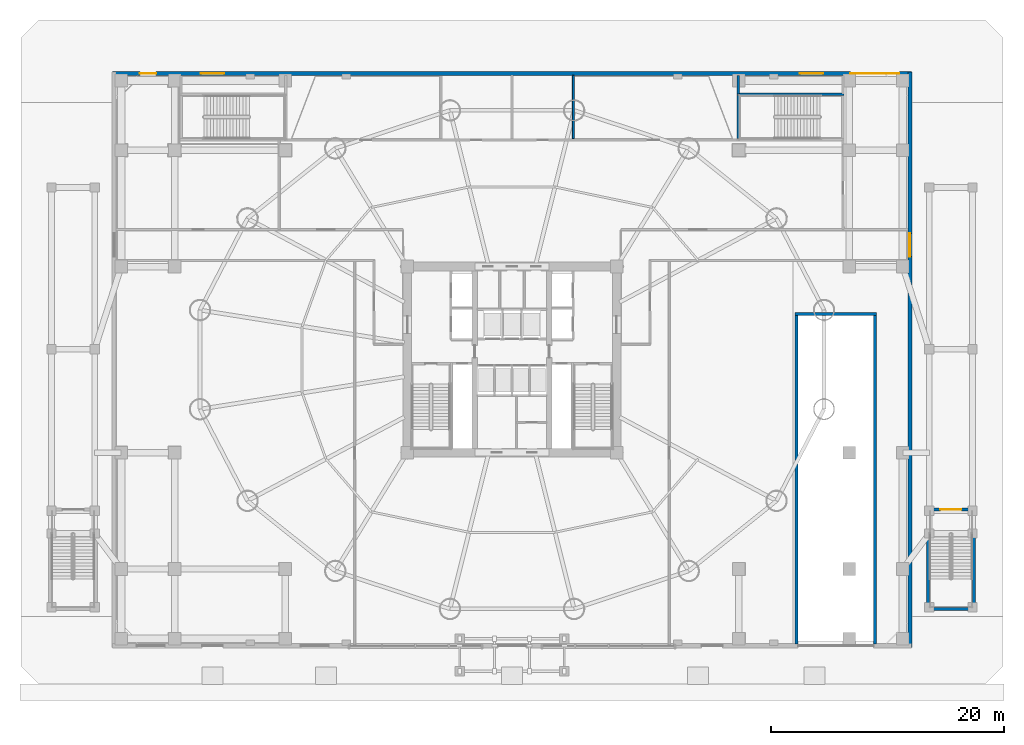
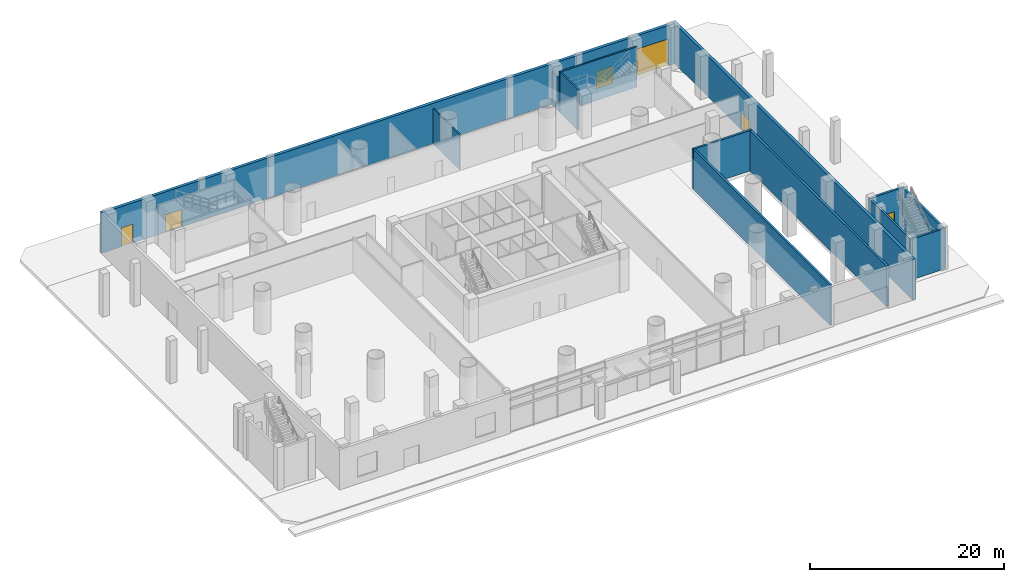
# One storey, part 12 of 25: 13 walls, 6 doors, 6 openings.
"""IFC4 building model written with IfcOpenShell, lengths in metres."""

from ifc_helpers import new_model, si_unit, direction, frame, frame_2d, origin, place, context, subcontext, project, spatial, rectangle, extrude, source, transform, mapped, material, layer, layer_set, type_object, element, fill, save


model = new_model("IFC4")

# Units and contexts
model_context = context("Model", 3, precision=1e-05, world=origin(), true_north=direction((-0.2419218956, 0.970295726276)))
body_context = subcontext(model_context, "Body", "Model", "MODEL_VIEW")
ifc_project = project(units=[si_unit("LENGTHUNIT", "METRE"), si_unit("AREAUNIT", "SQUARE_METRE"), si_unit("VOLUMEUNIT", "CUBIC_METRE"), si_unit("PLANEANGLEUNIT", "RADIAN"), si_unit("MASSUNIT", "GRAM", prefix="KILO")], contexts=[model_context])

# Site, building, storey
site_placement = place(None, origin())
site = spatial("IfcSite", under=ifc_project, at=site_placement, CompositionType="ELEMENT")
building_placement = place(site_placement, origin())
building = spatial("IfcBuilding", under=site, at=building_placement, Name="Cobrevalo Terracotta Tower", CompositionType="ELEMENT")
storey_placement = place(building_placement, origin())
storey = spatial("IfcBuildingStorey", under=building, at=storey_placement, Name="L00", CompositionType="ELEMENT", Elevation=0.0)

# Wall, openings, doors
ifc_material_1 = material(Name="Concrete C45", Category="concrete")
ifc_layer_1 = layer(ifc_material_1, 0.35009765625)
ifc_layer_set_1 = layer_set([ifc_layer_1], Name="Concrete C45")
wall_type_1 = type_object("IfcWallType", Name="Board-marked precast architectural concrete facade wall 350 mm", PredefinedType="SOLIDWALL", material=ifc_layer_set_1)
wall_1_placement = place(storey_placement, frame((72.35009765625, 51.39990234375, 0.0), z_axis=(0.0, 0.0, 1.0), x_axis=(-1.0, 0.0, 0.0)))
wall_1 = element("IfcWall", 1, at=wall_1_placement, inside=storey, type_object=wall_type_1, Name="L00 north service & florist facade wall", PredefinedType="SOLIDWALL", context=body_context, shape_type="SweptSolid", body=[
    extrude(rectangle(XDim=68.7001953125, YDim=0.35009765625, at=frame_2d((34.35009765625, 0.0))), origin(), (0.0, 0.0, 1.0), 5.10009765625),
])
opening_1_placement = place(wall_1_placement, frame((1.050048828125, 0.0, 0.0)))
opening_1 = element("IfcOpeningElement", 2, at=opening_1_placement, cuts=wall_1, Name="Opening ED-12", PredefinedType="OPENING", context=body_context, shape_type="SweptSolid", body=[
    extrude(rectangle(XDim=4.199951171875, YDim=3.39990234375, at=frame_2d((2.10009765625, 1.699951171875))), frame((0.0, 0.18505859375, 0.0), z_axis=(0.0, -1.0, 0.0), x_axis=(1.0, 0.0, 0.0)), (0.0, 0.0, 1.0), 0.3701171875),
])
opening_2_placement = place(wall_1_placement, frame((64.949951171875, 0.0, 0.0)))
opening_2 = element("IfcOpeningElement", 3, at=opening_2_placement, cuts=wall_1, Name="Opening ED-16", PredefinedType="OPENING", context=body_context, shape_type="SweptSolid", body=[
    extrude(rectangle(XDim=1.39990234375, YDim=2.39990234375, at=frame_2d((0.699951171875, 1.199951171875))), frame((0.0, 0.18505859375, 0.0), z_axis=(0.0, -1.0, 0.0), x_axis=(1.0, 0.0, 0.0)), (0.0, 0.0, 1.0), 0.3701171875),
])
opening_3_placement = place(wall_1_placement, frame((59.10009765625, 0.0, 0.0)))
opening_3 = element("IfcOpeningElement", 4, at=opening_3_placement, cuts=wall_1, Name="Opening ED-21", PredefinedType="OPENING", context=body_context, shape_type="SweptSolid", body=[
    extrude(rectangle(XDim=2.0, YDim=2.199951171875, at=frame_2d((1.0, 1.10009765625))), frame((0.0, 0.18505859375, 0.0), z_axis=(0.0, -1.0, 0.0), x_axis=(1.0, 0.0, 0.0)), (0.0, 0.0, 1.0), 0.3701171875),
])
opening_4_placement = place(wall_1_placement, frame((7.60009765625, 0.0, 0.0)))
opening_4 = element("IfcOpeningElement", 5, at=opening_4_placement, cuts=wall_1, Name="Opening ED-21", PredefinedType="OPENING", context=body_context, shape_type="SweptSolid", body=[
    extrude(rectangle(XDim=2.0, YDim=2.199951171875, at=frame_2d((1.0, 1.10009765625))), frame((0.0, 0.18505859375, 0.0), z_axis=(0.0, -1.0, 0.0), x_axis=(1.0, 0.0, 0.0)), (0.0, 0.0, 1.0), 0.3701171875),
])
ifc_material_2 = material(Name="Galvanized powder-coated steel", Category="steel")
door_type_1 = type_object("IfcDoorType", Name="Service loading-dock insulated steel roller shutter 4200x3400", OperationType="ROLLINGUP", PredefinedType="GATE", material=ifc_material_2)
shared_shape_1 = source(origin(), body_context, "Body", "SweptSolid", [
    extrude(rectangle(XDim=4.199951171875, YDim=3.39990234375, at=frame_2d((2.10009765625, 1.699951171875))), frame((0.0, 0.02490234375, 0.0), z_axis=(0.0, -1.0, 0.0), x_axis=(1.0, 0.0, 0.0)), (0.0, 0.0, 1.0), 0.050048828125),
])
door_1_placement = place(opening_1_placement, origin())
door_1 = element("IfcDoor", 6, at=door_1_placement, inside=storey, type_object=door_type_1, Name="L00 enclosed loading dock roller shutter door D-LOAD01", OperationType="ROLLINGUP", OverallHeight=3.39990234375, OverallWidth=4.199951171875, PredefinedType="GATE", context=body_context, shape_type="MappedRepresentation", body=[
    mapped(shared_shape_1, transform((0.0, 0.0, 0.0), scale=1.0)),
])
fill(opening_1, door_1)
ifc_material_3 = material(Name="Anodized aluminium and laminated glass", Category="aluminium")
door_type_2 = type_object("IfcDoorType", Name="Retail florist street double glazed door 1400x2400", OperationType="NOTDEFINED", PredefinedType="DOOR", material=ifc_material_3)
shared_shape_2 = source(origin(), body_context, "Body", "SweptSolid", [
    extrude(rectangle(XDim=1.39990234375, YDim=2.39990234375, at=frame_2d((0.699951171875, 1.199951171875))), frame((0.0, 0.02490234375, 0.0), z_axis=(0.0, -1.0, 0.0), x_axis=(1.0, 0.0, 0.0)), (0.0, 0.0, 1.0), 0.050048828125),
])
door_2_placement = place(opening_2_placement, frame((1.39990234375, 0.0, 0.0), z_axis=(0.0, 0.0, 1.0), x_axis=(-1.0, 0.0, 0.0)))
door_2 = element("IfcDoor", 7, at=door_2_placement, inside=storey, type_object=door_type_2, Name="L00 north-west florist street entrance D-EX06", OperationType="DOUBLE_DOOR_SINGLE_SWING", OverallHeight=2.39990234375, OverallWidth=1.39990234375, PredefinedType="DOOR", context=body_context, shape_type="MappedRepresentation", body=[
    mapped(shared_shape_2, transform((0.0, 0.0, 0.0), scale=1.0)),
])
fill(opening_2, door_2)
door_type_3 = type_object("IfcDoorType", Name="Ground exit discharge fire-rated double door 2000x2200", OperationType="NOTDEFINED", PredefinedType="DOOR", material=ifc_material_3)
shared_shape_3 = source(origin(), body_context, "Body", "SweptSolid", [
    extrude(rectangle(XDim=2.0, YDim=2.199951171875, at=frame_2d((1.0, 1.10009765625))), frame((0.0, 0.02490234375, 0.0), z_axis=(0.0, -1.0, 0.0), x_axis=(1.0, 0.0, 0.0)), (0.0, 0.0, 1.0), 0.050048828125),
])
door_3_placement = place(opening_3_placement, frame((2.0, 0.0, 0.0), z_axis=(0.0, 0.0, 1.0), x_axis=(-1.0, 0.0, 0.0)))
door_3 = element("IfcDoor", 8, at=door_3_placement, inside=storey, type_object=door_type_3, Name="L00 north-west protected exit discharge door D-EX07", OperationType="DOUBLE_DOOR_SINGLE_SWING", OverallHeight=2.199951171875, OverallWidth=2.0, PredefinedType="DOOR", context=body_context, shape_type="MappedRepresentation", body=[
    mapped(shared_shape_3, transform((0.0, 0.0, 0.0), scale=1.0)),
])
fill(opening_3, door_3)
door_4_placement = place(opening_4_placement, frame((2.0, 0.0, 0.0), z_axis=(0.0, 0.0, 1.0), x_axis=(-1.0, 0.0, 0.0)))
door_4 = element("IfcDoor", 9, at=door_4_placement, inside=storey, type_object=door_type_3, Name="L00 north-east protected exit discharge door D-EX08", OperationType="DOUBLE_DOOR_SINGLE_SWING", OverallHeight=2.199951171875, OverallWidth=2.0, PredefinedType="DOOR", context=body_context, shape_type="MappedRepresentation", body=[
    mapped(shared_shape_3, transform((0.0, 0.0, 0.0), scale=1.0)),
])
fill(opening_4, door_4)

# Wall, opening, door
wall_2_placement = place(storey_placement, frame((72.199951171875, 2.050048828125, 0.0), z_axis=(0.0, 0.0, 1.0), x_axis=(0.0, 1.0, 0.0)))
wall_2 = element("IfcWall", 10, at=wall_2_placement, inside=storey, type_object=wall_type_1, Name="L00 east facade wall", PredefinedType="SOLIDWALL", context=body_context, shape_type="SweptSolid", body=[
    extrude(rectangle(XDim=49.5, YDim=0.35009765625, at=frame_2d((24.75, 0.0))), origin(), (0.0, 0.0, 1.0), 5.10009765625),
])
opening_5_placement = place(wall_2_placement, frame((33.60009765625, 0.0, 0.0)))
opening_5 = element("IfcOpeningElement", 11, at=opening_5_placement, cuts=wall_2, Name="Opening ED-21", PredefinedType="OPENING", context=body_context, shape_type="SweptSolid", body=[
    extrude(rectangle(XDim=2.0, YDim=2.199951171875, at=frame_2d((1.0, 1.10009765625))), frame((0.0, 0.18505859375, 0.0), z_axis=(0.0, -1.0, 0.0), x_axis=(1.0, 0.0, 0.0)), (0.0, 0.0, 1.0), 0.3701171875),
])
door_5_placement = place(opening_5_placement, frame((2.0, 0.0, 0.0), z_axis=(0.0, 0.0, 1.0), x_axis=(-1.0, 0.0, 0.0)))
door_5 = element("IfcDoor", 12, at=door_5_placement, inside=storey, type_object=door_type_3, Name="L00 east protected exit discharge door D-EX05", OperationType="DOUBLE_DOOR_SINGLE_SWING", OverallHeight=2.199951171875, OverallWidth=2.0, PredefinedType="DOOR", context=body_context, shape_type="MappedRepresentation", body=[
    mapped(shared_shape_3, transform((0.0, 0.0, 0.0), scale=1.0)),
])
fill(opening_5, door_5)

# Walls
ifc_material_4 = material(Name="Concrete C50", Category="concrete")
ifc_layer_2 = layer(ifc_material_4, 0.25)
ifc_layer_set_2 = layer_set([ifc_layer_2], Name="Concrete C50")
wall_type_2 = type_object("IfcWallType", Name="Exterior raised-garden stair shaft RC wall 250 mm Concrete C50", PredefinedType="SOLIDWALL", material=ifc_layer_set_2)
for number, where, z_axis, x_axis, name in (
    (13, (73.7548828125, 5.25, 0.0), (0.0, 0.0, 1.0), (0.0, 1.0, 0.0), "L00 East monumental raised-garden stair structural shaft wall W"),
    (14, (77.72509765625, 5.25, 0.0), (0.0, 0.0, 1.0), (0.0, 1.0, 0.0), "L00 East monumental raised-garden stair structural shaft wall E"),
):
    element("IfcWall", number, at=place(storey_placement, frame(where, z_axis=z_axis, x_axis=x_axis)), inside=storey, type_object=wall_type_2, Name=name, PredefinedType="SOLIDWALL", context=body_context, shape_type="SweptSolid", body=[
        extrude(rectangle(XDim=8.675048828125, YDim=0.25, at=frame_2d((4.33740234375, 0.0))), origin(), (0.0, 0.0, 1.0), 5.10009765625),
    ])
wall_3_placement = place(storey_placement, frame((73.6298828125, 5.375, 0.0), z_axis=(0.0, 0.0, 1.0), x_axis=(1.0, 0.0, 0.0)))
element("IfcWall", 15, at=wall_3_placement, inside=storey, type_object=wall_type_2, Name="L00 East monumental raised-garden stair structural shaft wall S", PredefinedType="SOLIDWALL", context=body_context, shape_type="SweptSolid", body=[
    extrude(rectangle(XDim=4.22021484375, YDim=0.25, at=frame_2d((2.110107421875, 0.0))), origin(), (0.0, 0.0, 1.0), 5.10009765625),
])

# Wall, opening, door
wall_4_placement = place(storey_placement, frame((73.6298828125, 13.925048828125, 0.0), z_axis=(0.0, 0.0, 1.0), x_axis=(1.0, 0.0, 0.0)))
wall_4 = element("IfcWall", 16, at=wall_4_placement, inside=storey, type_object=wall_type_2, Name="L00 East monumental raised-garden stair structural shaft wall N", PredefinedType="SOLIDWALL", context=body_context, shape_type="SweptSolid", body=[
    extrude(rectangle(XDim=4.22021484375, YDim=0.25, at=frame_2d((2.110107421875, 0.0))), origin(), (0.0, 0.0, 1.0), 5.10009765625),
])
opening_6_placement = place(wall_4_placement, frame((1.2099609375, 0.0, 0.0)))
opening_6 = element("IfcOpeningElement", 17, at=opening_6_placement, cuts=wall_4, Name="Opening ED-08", PredefinedType="OPENING", context=body_context, shape_type="SweptSolid", body=[
    extrude(rectangle(XDim=1.800048828125, YDim=2.39990234375, at=frame_2d((0.89990234375, 1.199951171875))), frame((0.0, 0.135009765625, 0.0), z_axis=(0.0, -1.0, 0.0), x_axis=(1.0, 0.0, 0.0)), (0.0, 0.0, 1.0), 0.27001953125),
])
door_type_4 = type_object("IfcDoorType", Name="Retail & garden terrace double glazed door 1800x2400", OperationType="NOTDEFINED", PredefinedType="DOOR", material=ifc_material_3)
shared_shape_4 = source(origin(), body_context, "Body", "SweptSolid", [
    extrude(rectangle(XDim=1.800048828125, YDim=2.39990234375, at=frame_2d((0.89990234375, 1.199951171875))), frame((0.0, 0.02490234375, 0.0), z_axis=(0.0, -1.0, 0.0), x_axis=(1.0, 0.0, 0.0)), (0.0, 0.0, 1.0), 0.050048828125),
])
door_6_placement = place(opening_6_placement, origin())
door_6 = element("IfcDoor", 18, at=door_6_placement, inside=storey, type_object=door_type_4, Name="L00 external garden plaza double door (ST-EXT-E)", OperationType="DOUBLE_DOOR_SINGLE_SWING", OverallHeight=2.39990234375, OverallWidth=1.800048828125, PredefinedType="DOOR", context=body_context, shape_type="MappedRepresentation", body=[
    mapped(shared_shape_4, transform((0.0, 0.0, 0.0), scale=1.0)),
])
fill(opening_6, door_6)

# Walls
ifc_material_5 = material(Name="Gypsum board on steel stud", Category="steel")
ifc_layer_3 = layer(ifc_material_5, 0.159912109375)
ifc_layer_set_3 = layer_set([ifc_layer_3], Name="Gypsum board on steel stud")
wall_type_3 = type_object("IfcWallType", Name="Fire-rated corridor acoustic partition wall 160 mm", PredefinedType="PARTITIONING", material=ifc_layer_set_3)
wall_5_placement = place(storey_placement, frame((43.280029296875, 45.7919921875, 0.0), z_axis=(0.0, 0.0, 1.0), x_axis=(0.0, 1.0, 0.0)))
element("IfcWall", 19, at=wall_5_placement, inside=storey, type_object=wall_type_3, Name="L00 interior partition IW-L00-WCA-E", PredefinedType="PARTITIONING", context=body_context, shape_type="SweptSolid", body=[
    extrude(rectangle(XDim=5.447998046875, YDim=0.159912109375, at=frame_2d((2.72412109375, 0.0))), origin(), (0.0, 0.0, 1.0), 4.449951171875),
])
ifc_layer_4 = layer(ifc_material_5, 0.179931640625)
ifc_layer_set_4 = layer_set([ifc_layer_4], Name="Gypsum board on steel stud")
wall_type_4 = type_object("IfcWallType", Name="Fire-rated shaft & lobby acoustic partition wall 180 mm", PredefinedType="PARTITIONING", material=ifc_layer_set_4)
wall_6_placement = place(storey_placement, frame((57.449951171875, 49.6201171875, 0.0), z_axis=(0.0, 0.0, 1.0), x_axis=(0.0, 1.0, 0.0)))
element("IfcWall", 20, at=wall_6_placement, inside=storey, type_object=wall_type_4, Name="L00 interior partition IW-L00-EXPNE-W", PredefinedType="PARTITIONING", context=body_context, shape_type="SweptSolid", body=[
    extrude(rectangle(XDim=1.619873046875, YDim=0.179931640625, at=frame_2d((0.81005859375, 0.0))), origin(), (0.0, 0.0, 1.0), 4.135009765625),
])
ifc_layer_5 = layer(ifc_material_4, 0.199951171875)
ifc_layer_set_5 = layer_set([ifc_layer_5], Name="Concrete C50")
wall_type_5 = type_object("IfcWallType", Name="Structural core & podium stair-shaft RC wall 200 mm Concrete C50", PredefinedType="SOLIDWALL", material=ifc_layer_set_5)
wall_7_placement = place(storey_placement, frame((57.35009765625, 49.6201171875, 0.0), z_axis=(0.0, 0.0, 1.0), x_axis=(1.0, 0.0, 0.0)))
element("IfcWall", 21, at=wall_7_placement, inside=storey, type_object=wall_type_5, Name="L00 STP2 north structural shaft wall", PredefinedType="SOLIDWALL", context=body_context, shape_type="SweptSolid", body=[
    extrude(rectangle(XDim=9.199951171875, YDim=0.199951171875, at=frame_2d((4.60009765625, 0.0))), origin(), (0.0, 0.0, 1.0), 5.10009765625),
])
wall_8_placement = place(storey_placement, frame((57.449951171875, 45.800048828125, 0.0), z_axis=(0.0, 0.0, 1.0), x_axis=(0.0, 1.0, 0.0)))
element("IfcWall", 22, at=wall_8_placement, inside=storey, type_object=wall_type_5, Name="L00 STP2 west structural shaft wall", PredefinedType="SOLIDWALL", context=body_context, shape_type="SweptSolid", body=[
    extrude(rectangle(XDim=3.719970703125, YDim=0.199951171875, at=frame_2d((1.85986328125, 0.0))), origin(), (0.0, 0.0, 1.0), 5.10009765625),
])
ifc_layer_6 = layer(ifc_material_4, 0.25)
ifc_layer_set_6 = layer_set([ifc_layer_6], Name="Concrete C50")
wall_type_6 = type_object("IfcWallType", Name="Structural stair & ramp shaft RC wall 250 mm Concrete C50", PredefinedType="SOLIDWALL", material=ifc_layer_set_6)
for number, where, z_axis, x_axis, name in (
    (23, (62.47509765625, 2.35009765625, 0.0), (0.0, 0.0, 1.0), (0.0, 1.0, 0.0), "L00 upper vehicle ramp west shaft wall"),
    (24, (69.22509765625, 2.35009765625, 0.0), (0.0, 0.0, 1.0), (0.0, 1.0, 0.0), "L00 upper vehicle ramp east shaft wall"),
):
    element("IfcWall", number, at=place(storey_placement, frame(where, z_axis=z_axis, x_axis=x_axis)), inside=storey, type_object=wall_type_6, Name=name, PredefinedType="SOLIDWALL", context=body_context, shape_type="SweptSolid", body=[
        extrude(rectangle(XDim=28.25, YDim=0.25, at=frame_2d((14.125, 0.0))), origin(), (0.0, 0.0, 1.0), 5.10009765625),
    ])
wall_9_placement = place(storey_placement, frame((62.35009765625, 30.72509765625, 0.0), z_axis=(0.0, 0.0, 1.0), x_axis=(1.0, 0.0, 0.0)))
element("IfcWall", 25, at=wall_9_placement, inside=storey, type_object=wall_type_6, Name="L00 upper vehicle ramp north head wall", PredefinedType="SOLIDWALL", context=body_context, shape_type="SweptSolid", body=[
    extrude(rectangle(XDim=7.0, YDim=0.25, at=frame_2d((3.5, 0.0))), origin(), (0.0, 0.0, 1.0), 5.10009765625),
])

save(model, "model.ifc")
